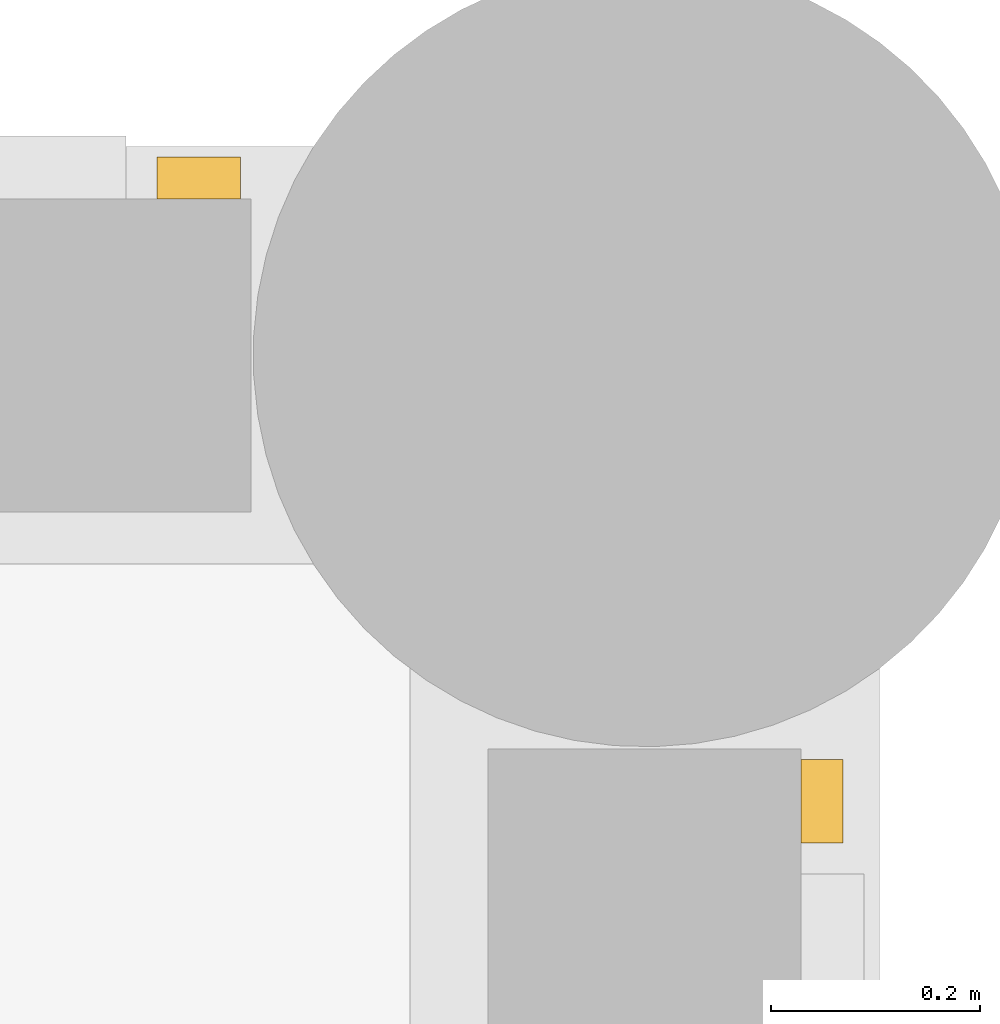
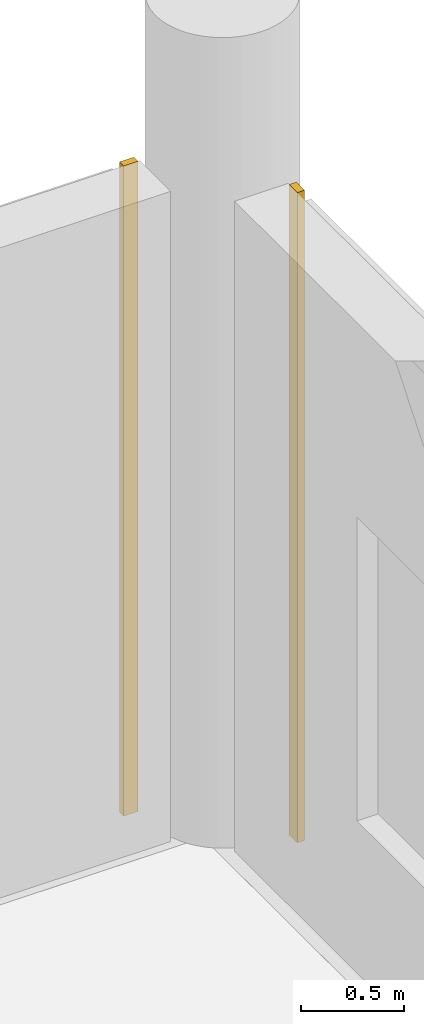
# One storey, part 122 of 122: 2 coverings.
"""IFC4 building model written with IfcOpenShell, lengths in metres."""

from ifc_helpers import new_model, si_unit, direction, frame, origin, origin_2d, place, context, subcontext, project, spatial, rectangle, extrude, material, layer, layer_set, type_object, element, save


model = new_model("IFC4")

# Units and contexts
model_context = context("Model", 3, precision=1e-05, world=origin(), true_north=direction((0.0, 1.0)))
body_context = subcontext(model_context, "Body", "Model", "MODEL_VIEW")
ifc_project = project(units=[si_unit("LENGTHUNIT", "METRE"), si_unit("AREAUNIT", "SQUARE_METRE"), si_unit("VOLUMEUNIT", "CUBIC_METRE"), si_unit("PLANEANGLEUNIT", "RADIAN"), si_unit("MASSUNIT", "GRAM", prefix="KILO")], contexts=[model_context])

# Site, building, storey
site_placement = place(None, origin())
site = spatial("IfcSite", under=ifc_project, at=site_placement, CompositionType="ELEMENT")
building_placement = place(site_placement, origin())
building = spatial("IfcBuilding", under=site, at=building_placement, Name="Telukmera Botanical Conservatory", CompositionType="ELEMENT")
storey_placement = place(building_placement, frame((0.0, 0.0, 10.199951171875)))
storey = spatial("IfcBuildingStorey", under=building, at=storey_placement, Name="L02", CompositionType="ELEMENT", Elevation=10.199951171875)

# Coverings
ifc_material = material(Name="Granite-faced precast concrete C40/50", Category="masonry")
ifc_layer = layer(ifc_material, 0.0400390625)
ifc_layer_set = layer_set([ifc_layer], Name="Granite-faced precast concrete C40/50")
covering_type = type_object("IfcCoveringType", Name="Granite Precast Column Pier Reveal Casing", PredefinedType="CLADDING", material=ifc_layer_set)
for number, where, z_axis, x_axis, name in (
    (1, (41.572998046875, 74.969970703125, 0.0), (0.0, 0.0, 1.0), (1.0, 0.0, 0.0), "Granite Pier Reveal V3:L02:N4 R"),
    (2, (42.169921875, 74.373046875, 0.0), (0.0, 0.0, 1.0), (0.0, 1.0, 0.0), "Granite Pier Reveal V3:L02:E7 R"),
):
    element("IfcCovering", number, at=place(storey_placement, frame(where, z_axis=z_axis, x_axis=x_axis)), inside=storey, type_object=covering_type, Name=name, PredefinedType="CLADDING", context=body_context, shape_type="SweptSolid", body=[
        extrude(rectangle(XDim=0.080078125, YDim=0.0400390625, at=origin_2d()), origin(), (0.0, 0.0, 1.0), 3.85009765625),
    ])

save(model, "model.ifc")
